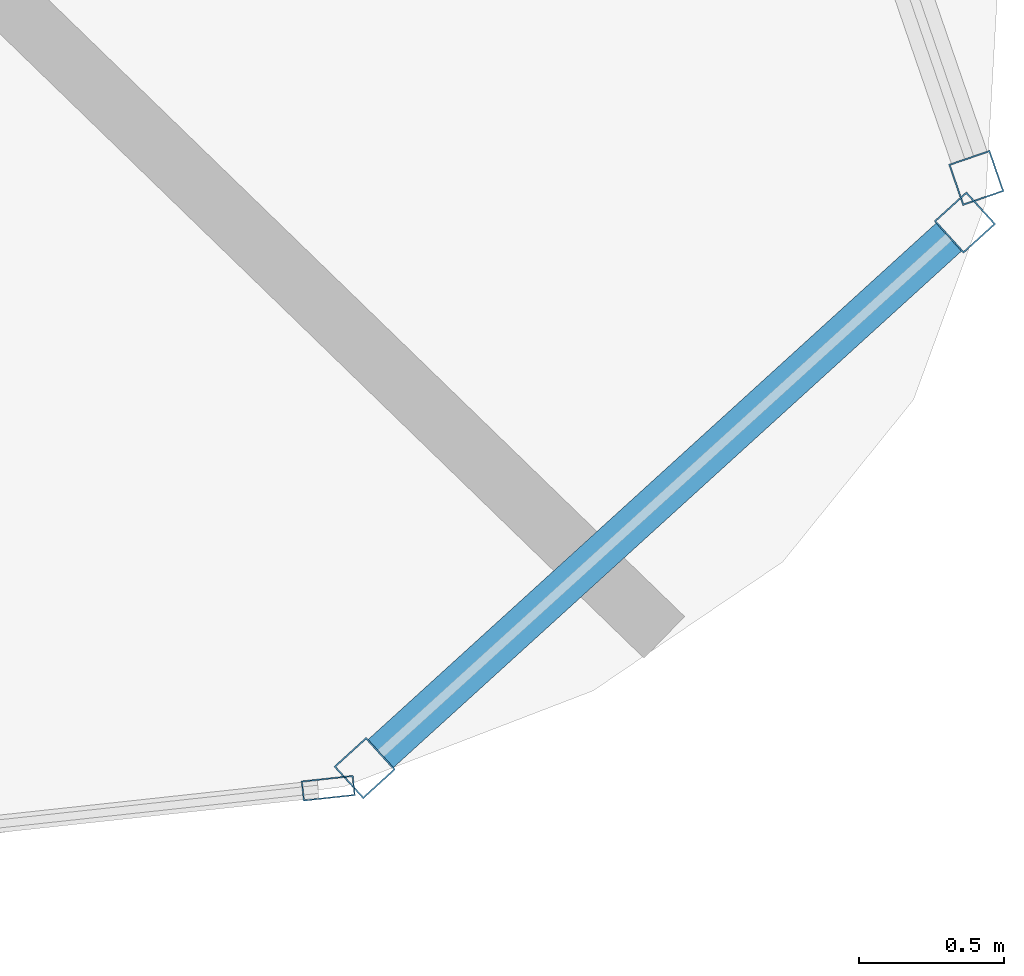
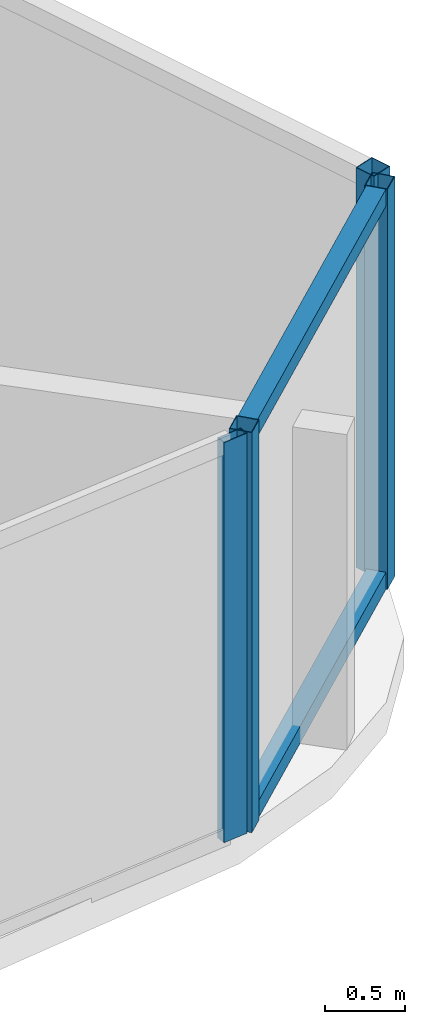
# One storey, part 14 of 34: 6 members, 3 elements without a shape of their own.
"""IFC4 building model written with IfcOpenShell, lengths in metres."""

from ifc_helpers import new_model, si_unit, direction, frame, origin, origin_2d, place, context, subcontext, project, spatial, hollow_rectangle, extrude, material, layer, layer_set, material_profile, profile_set, type_object, element, aggregate, save


model = new_model("IFC4")

# Units and contexts
model_context = context("Model", 3, precision=1e-05, world=origin(), true_north=direction((0.0, 1.0)))
body_context = subcontext(model_context, "Body", "Model", "MODEL_VIEW")
ifc_project = project(units=[si_unit("LENGTHUNIT", "METRE"), si_unit("AREAUNIT", "SQUARE_METRE"), si_unit("VOLUMEUNIT", "CUBIC_METRE"), si_unit("PLANEANGLEUNIT", "RADIAN"), si_unit("MASSUNIT", "GRAM", prefix="KILO")], contexts=[model_context])

# Site, building, storey
site_placement = place(None, origin())
site = spatial("IfcSite", under=ifc_project, at=site_placement, CompositionType="ELEMENT")
building_placement = place(site_placement, origin())
building = spatial("IfcBuilding", under=site, at=building_placement, Name="Orvanel Arch Residences", CompositionType="ELEMENT")
storey_placement = place(building_placement, frame((0.0, 0.0, 67.550048828125)))
storey = spatial("IfcBuildingStorey", under=building, at=storey_placement, Name="L18", CompositionType="ELEMENT", Elevation=67.550048828125)

# Curtain wall, members
ifc_material = material(Name="Bronze-anodised aluminium AA6063-T6", Category="aluminium")
ifc_layer_1 = layer(ifc_material, 0.18994140625)
ifc_layer_set_1 = layer_set([ifc_layer_1], Name="Bronze-anodised aluminium AA6063-T6")
curtain_wall_type_1 = type_object("IfcCurtainWallType", Name="CW5-CRN-SYS", PredefinedType="NOTDEFINED", material=ifc_layer_set_1)
curtain_wall_1_placement = place(storey_placement, origin())
curtain_wall_1 = element("IfcCurtainWall", 1, at=curtain_wall_1_placement, inside=storey, type_object=curtain_wall_type_1, Name="L18 CW5-CRN-SYS Unitised Curtain Wall", PredefinedType="NOTDEFINED")
ifc_material_profile_1 = material_profile(ifc_material, hollow_rectangle(XDim=0.14990234375, YDim=0.14990234375, WallThickness=0.0048828125, at=origin_2d()), Name="ALU150x150x5")
ifc_profile_set_1 = profile_set([ifc_material_profile_1], Name="Bronze-anodised aluminium AA6063-T6")
member_type_1 = type_object("IfcMemberType", Name="MUL-150x150", PredefinedType="MULLION", material=ifc_profile_set_1)
member_1_placement = place(storey_placement, frame((58.722412109375, 4.115478515625, 0.0), z_axis=(0.0, 0.0, 1.0), x_axis=(-0.672621989793, 0.73998625585, 0.0)))
member_1 = element("IfcMember", 2, at=member_1_placement, type_object=member_type_1, Name="CW-S5 mullion 1", PredefinedType="MULLION", context=body_context, shape_type="SweptSolid", body=[
    extrude(hollow_rectangle(XDim=0.14990234375, YDim=0.14990234375, WallThickness=0.0048828125, at=origin_2d()), origin(), (0.0, 0.0, 1.0), 3.06005859375),
])
member_2_placement = place(storey_placement, frame((60.78662109375, 5.991455078125, 0.0), z_axis=(0.0, 0.0, 1.0), x_axis=(-0.672621989793, 0.73998625585, 0.0)))
member_2 = element("IfcMember", 3, at=member_2_placement, type_object=member_type_1, Name="CW-S5 mullion 2", PredefinedType="MULLION", context=body_context, shape_type="SweptSolid", body=[
    extrude(hollow_rectangle(XDim=0.14990234375, YDim=0.14990234375, WallThickness=0.0048828125, at=origin_2d()), origin(), (0.0, 0.0, 1.0), 3.06005859375),
])

# Curtain wall, member
curtain_wall_2_placement = place(storey_placement, origin())
curtain_wall_2 = element("IfcCurtainWall", 4, at=curtain_wall_2_placement, inside=storey, type_object=curtain_wall_type_1, Name="L18 CW5-CRN-SYS Unitised Curtain Wall", PredefinedType="NOTDEFINED")
member_3_placement = place(storey_placement, frame((60.82568359375, 6.14501953125, 0.0), z_axis=(0.0, 0.0, 1.0), x_axis=(-0.945657194416, -0.325165297425, 0.0)))
member_3 = element("IfcMember", 5, at=member_3_placement, type_object=member_type_1, Name="CW-S5 mullion 1", PredefinedType="MULLION", context=body_context, shape_type="SweptSolid", body=[
    extrude(hollow_rectangle(XDim=0.14990234375, YDim=0.14990234375, WallThickness=0.0048828125, at=origin_2d()), origin(), (0.0, 0.0, 1.0), 3.06005859375),
])
aggregate(curtain_wall_2, [member_3])

ifc_layer_2 = layer(ifc_material, 0.179931640625)
ifc_layer_set_2 = layer_set([ifc_layer_2], Name="Bronze-anodised aluminium AA6063-T6")
curtain_wall_type_2 = type_object("IfcCurtainWallType", Name="CW2-LOW-SYS", PredefinedType="NOTDEFINED", material=ifc_layer_set_2)
curtain_wall_3_placement = place(storey_placement, origin())
curtain_wall_3 = element("IfcCurtainWall", 6, at=curtain_wall_3_placement, inside=storey, type_object=curtain_wall_type_2, Name="L18 CW2-LOW-SYS Unitised Curtain Wall", PredefinedType="NOTDEFINED")
ifc_material_profile_2 = material_profile(ifc_material, hollow_rectangle(XDim=0.070068359375, YDim=0.179931640625, WallThickness=0.00439453125, at=origin_2d()), Name="ALU180x70x4.5")
ifc_profile_set_2 = profile_set([ifc_material_profile_2], Name="Bronze-anodised aluminium AA6063-T6")
member_type_2 = type_object("IfcMemberType", Name="MUL-180x70", PredefinedType="MULLION", material=ifc_profile_set_2)
member_4_placement = place(storey_placement, frame((58.59716796875, 4.046142578125, 0.0), z_axis=(0.0, 0.0, 1.0), x_axis=(-0.107811076303, 0.994171399622, 0.0)))
member_4 = element("IfcMember", 7, at=member_4_placement, type_object=member_type_2, Name="CW-S2 mullion 4", PredefinedType="MULLION", context=body_context, shape_type="SweptSolid", body=[
    extrude(hollow_rectangle(XDim=0.070068359375, YDim=0.179931640625, WallThickness=0.00439453125, at=origin_2d()), origin(), (0.0, 0.0, 1.0), 3.06005859375),
])
aggregate(curtain_wall_3, [member_4])

# Member
ifc_material_profile_3 = material_profile(ifc_material, hollow_rectangle(XDim=0.1298828125, YDim=0.1298828125, WallThickness=0.00439453125, at=origin_2d()), Name="ALU130x130x4.5")
ifc_profile_set_3 = profile_set([ifc_material_profile_3], Name="Bronze-anodised aluminium AA6063-T6")
member_type_3 = type_object("IfcMemberType", Name="TRN-130x130", PredefinedType="USERDEFINED", material=ifc_profile_set_3)
member_5_placement = place(storey_placement, frame((58.778076171875, 4.165771484375, 0.06494140625), z_axis=(0.739931702024, 0.67268200239, 0.0), x_axis=(-0.67268200239, 0.739931702024, 0.0)))
member_5 = element("IfcMember", 8, at=member_5_placement, type_object=member_type_3, Name="CW-S5 transom 1.1", ObjectType="TRANSOM", PredefinedType="USERDEFINED", context=body_context, shape_type="SweptSolid", body=[
    extrude(hollow_rectangle(XDim=0.1298828125, YDim=0.1298828125, WallThickness=0.00439453125, at=origin_2d()), origin(), (0.0, 0.0, 1.0), 2.63916015625),
])

member_6_placement = place(storey_placement, frame((58.778076171875, 4.165771484375, 2.994873046875), z_axis=(0.739931702024, 0.67268200239, 0.0), x_axis=(-0.67268200239, 0.739931702024, 0.0)))
member_6 = element("IfcMember", 9, at=member_6_placement, type_object=member_type_3, Name="CW-S5 transom 1.2", ObjectType="TRANSOM", PredefinedType="USERDEFINED", context=body_context, shape_type="SweptSolid", body=[
    extrude(hollow_rectangle(XDim=0.1298828125, YDim=0.1298828125, WallThickness=0.00439453125, at=origin_2d()), origin(), (0.0, 0.0, 1.0), 2.63916015625),
])

aggregate(curtain_wall_1, [member_1, member_2, member_5, member_6])

save(model, "model.ifc")
